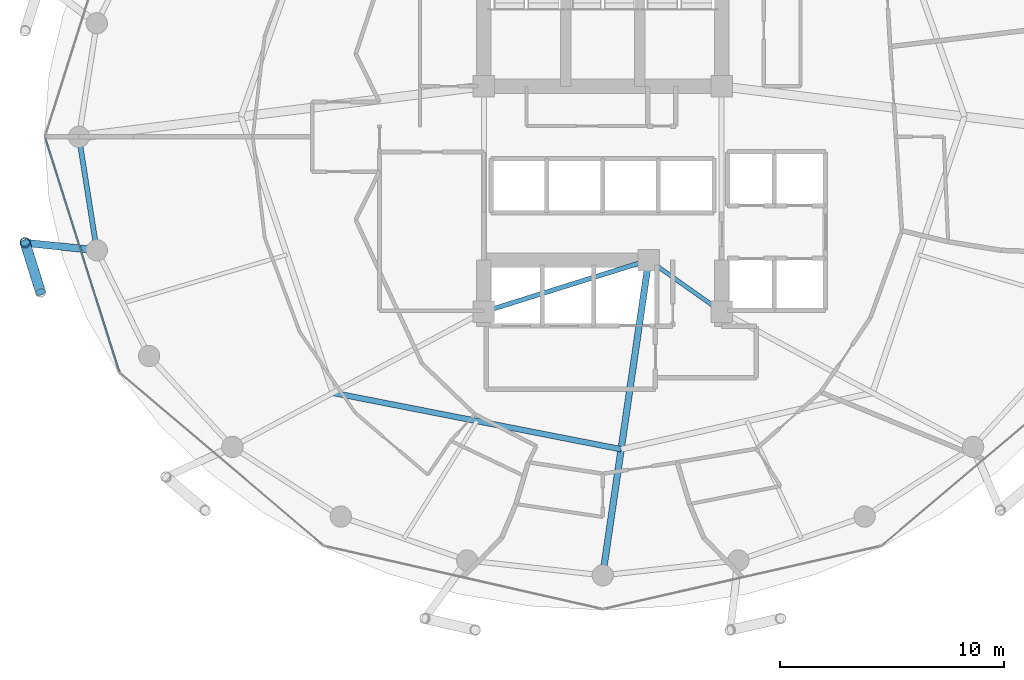
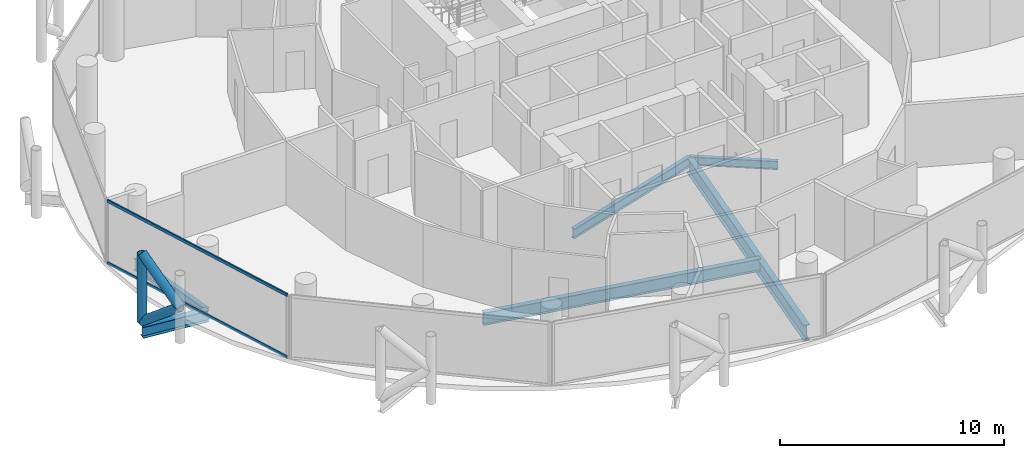
# One storey, part 5 of 26: 6 beams, 5 members, 1 element without a shape of its own.
"""IFC4 building model written with IfcOpenShell, lengths in metres."""

import ifcopenshell
import ifcopenshell.guid

model = None  # the IFC model being written
_history = None  # IfcOwnerHistory: only IFC2X3 demands one
_inside = {}  # id of a spatial element -> (the spatial element, [elements in it])
_under = {}  # id of a project, library or spatial element -> (it, [spatial elements below it])
_declared = {}  # id of a project -> (the project, [libraries it declares])
_typed = {}  # id of a type object -> (the type object, [elements of that type])
_made_of = {}  # id of a material, layer set ... -> (it, [elements and type objects made of it])


def new_model(schema):
    """Start an empty IFC model of exactly this schema.

    Asked for "IFC4X3", IfcOpenShell would pick the latest addendum, in which some entities
    have other attributes; the version numbers below select the first issue.
    IFC2X3 requires an IfcOwnerHistory on every rooted entity: one is made here for all.
    """
    global model, _history
    if schema == "IFC4X3":
        model = ifcopenshell.file(schema_version=(4, 3, 0, 0))
    else:
        model = ifcopenshell.file(schema=schema)
    _inside.clear()
    _under.clear()
    _declared.clear()
    _typed.clear()
    _made_of.clear()
    _history = None
    if model.schema == "IFC2X3":
        org = make("IfcOrganization", Name="unknown")
        user = make(
            "IfcPersonAndOrganization",
            ThePerson=make("IfcPerson", FamilyName="unknown"),
            TheOrganization=org,
        )
        app = make(
            "IfcApplication",
            ApplicationDeveloper=org,
            Version="unknown",
            ApplicationFullName="unknown",
            ApplicationIdentifier="unknown",
        )
        _history = make(
            "IfcOwnerHistory",
            OwningUser=user,
            OwningApplication=app,
            ChangeAction="ADDED",
            CreationDate=0,
        )
    return model


def make(cls, **values):
    """One entity of the class cls with the attributes given. An attribute that is None is left unset."""
    return model.create_entity(
        cls, **{name: value for name, value in values.items() if value is not None}
    )


def rooted(cls, **values):
    """An entity with a GlobalId (a new one), such as an element, a storey or a relation."""
    return make(cls, GlobalId=ifcopenshell.guid.new(), OwnerHistory=_history, **values)


def si_unit(unit_type, name, prefix=None):
    """IfcSIUnit, for example si_unit("LENGTHUNIT", "METRE", prefix="MILLI")."""
    return make("IfcSIUnit", UnitType=unit_type, Prefix=prefix, Name=name)


def assignment(units):
    """IfcUnitAssignment: the units of a project."""
    return None if units is None else make("IfcUnitAssignment", Units=units)


def point(xyz):
    """IfcCartesianPoint."""
    return None if xyz is None else make("IfcCartesianPoint", Coordinates=xyz)


def direction(xyz):
    """IfcDirection."""
    return None if xyz is None else make("IfcDirection", DirectionRatios=xyz)


def frame(location, z_axis=None, x_axis=None):
    """IfcAxis2Placement3D, a coordinate frame: its origin and axes. An axis left out is left unset."""
    return make(
        "IfcAxis2Placement3D",
        Location=point(location),
        Axis=direction(z_axis),
        RefDirection=direction(x_axis),
    )


def frame_2d(location, x_axis=None):
    """IfcAxis2Placement2D, a coordinate frame in the plane: its origin and x axis."""
    return make(
        "IfcAxis2Placement2D", Location=point(location), RefDirection=direction(x_axis)
    )


def origin():
    """The frame at (0, 0, 0) with its axes left unset."""
    return frame((0.0, 0.0, 0.0))


def origin_2d():
    """The frame at (0, 0) in the plane with its x axis left unset."""
    return frame_2d((0.0, 0.0))


def place(relative_to, where):
    """IfcLocalPlacement: puts the frame where relative to a parent placement (None: the world)."""
    return make(
        "IfcLocalPlacement", PlacementRelTo=relative_to, RelativePlacement=where
    )


def context(
    kind, dimensions, precision=None, world=None, true_north=None, identifier=None
):
    """IfcGeometricRepresentationContext, for example the 3D "Model" context."""
    return make(
        "IfcGeometricRepresentationContext",
        ContextIdentifier=identifier,
        ContextType=kind,
        CoordinateSpaceDimension=dimensions,
        Precision=precision,
        WorldCoordinateSystem=world,
        TrueNorth=true_north,
    )


def subcontext(parent, identifier, kind, view, scale=None):
    """IfcGeometricRepresentationSubContext, for example "Body" below "Model"."""
    return make(
        "IfcGeometricRepresentationSubContext",
        ContextIdentifier=identifier,
        ContextType=kind,
        ParentContext=parent,
        TargetScale=scale,
        TargetView=view,
    )


def project(units=None, contexts=None):
    """IfcProject with its units and contexts."""
    return rooted(
        "IfcProject",
        Name="project",
        RepresentationContexts=contexts,
        UnitsInContext=assignment(units),
    )


def spatial(cls, under=None, at=None, **own):
    """A site, building, storey or space (cls), placed at a placement, below another one or the project."""
    s = rooted(cls, ObjectPlacement=at, **own)
    if under is not None:
        _under.setdefault(under.id(), (under, []))[1].append(s)
    return s


def profile(cls, at=None, kind="AREA", **sizes):
    """A parametric profile (cls). Its sizes go by their IFC names, for example OverallWidth=200.0."""
    return make(cls, ProfileType=kind, Position=at, **sizes)


def hollow_rectangle(**sizes):
    """IfcRectangleHollowProfileDef."""
    return profile("IfcRectangleHollowProfileDef", **sizes)


def hollow_circle(**sizes):
    """IfcCircleHollowProfileDef."""
    return profile("IfcCircleHollowProfileDef", **sizes)


def i_section(**sizes):
    """IfcIShapeProfileDef."""
    return profile("IfcIShapeProfileDef", **sizes)


def extrude(swept, where, along, depth):
    """IfcExtrudedAreaSolid: the profile swept, set in the frame where, extruded along a direction by depth."""
    return make(
        "IfcExtrudedAreaSolid",
        SweptArea=swept,
        Position=where,
        ExtrudedDirection=direction(along),
        Depth=depth,
    )


def shape(context_of_items, identifier, shape_type, items):
    """IfcShapeRepresentation: the items that make up one representation, for example the "Body"."""
    return make(
        "IfcShapeRepresentation",
        ContextOfItems=context_of_items,
        RepresentationIdentifier=identifier,
        RepresentationType=shape_type,
        Items=items,
    )


def material(Name=None, Category=None):
    """IfcMaterial."""
    return make("IfcMaterial", Name=Name, Category=Category)


def layer(
    of_material, thickness, ventilated=None, Name=None, Category=None, Priority=None
):
    """IfcMaterialLayer: one layer of a wall or slab, of a material (None: an air gap)."""
    return make(
        "IfcMaterialLayer",
        Material=of_material,
        LayerThickness=thickness,
        IsVentilated=ventilated,
        Name=Name,
        Category=Category,
        Priority=Priority,
    )


def layer_set(layers, Name=None):
    """IfcMaterialLayerSet."""
    return make("IfcMaterialLayerSet", MaterialLayers=layers, LayerSetName=Name)


def material_profile(
    of_material, cross_section, Name=None, Category=None, Priority=None
):
    """IfcMaterialProfile: a cross section and its material."""
    return make(
        "IfcMaterialProfile",
        Name=Name,
        Material=of_material,
        Profile=cross_section,
        Priority=Priority,
        Category=Category,
    )


def profile_set(profiles, Name=None, composite=None):
    """IfcMaterialProfileSet."""
    return make(
        "IfcMaterialProfileSet",
        Name=Name,
        MaterialProfiles=profiles,
        CompositeProfile=composite,
    )


def made_of(thing, what):
    """Note that an element or type object is made of a material, layer set ...; save() writes the relation."""
    if what is not None:
        _made_of.setdefault(what.id(), (what, []))[1].append(thing)
    return thing


def type_object(cls, material=None, **own):
    """A type object (cls), such as IfcWallType, which elements share."""
    return made_of(rooted(cls, **own), material)


def element(
    cls,
    number,
    at=None,
    inside=None,
    cuts=None,
    type_object=None,
    material=None,
    context=None,
    identifier="Body",
    shape_type=None,
    held_by="IfcProductDefinitionShape",
    body=None,
    shapes=None,
    **own,
):
    """One element of the class cls, such as IfcWall. Its Tag is "e" and its number.

    at: its placement. inside: the storey or other place that contains it. cuts: it is an
    opening in that element (IfcRelVoidsElement). A single representation is given by context,
    identifier, shape_type and body (its items); several are given by shapes. held_by: the class
    of the entity that holds the representations. save() writes the other relations.
    """
    e = rooted(cls, Tag="e%d" % number, ObjectPlacement=at, **own)
    if body is not None:
        shapes = [shape(context, identifier, shape_type, body)]
    if shapes is not None:
        e.Representation = make(held_by, Representations=shapes)
    if inside is not None:
        _inside.setdefault(inside.id(), (inside, []))[1].append(e)
    if cuts is not None:
        rooted(
            "IfcRelVoidsElement", RelatingBuildingElement=cuts, RelatedOpeningElement=e
        )
    if type_object is not None:
        _typed.setdefault(type_object.id(), (type_object, []))[1].append(e)
    return made_of(e, material)


def aggregate(whole, parts):
    """IfcRelAggregates: a whole, such as a stair, and the parts it consists of."""
    return rooted("IfcRelAggregates", RelatingObject=whole, RelatedObjects=parts)


def save(model, path):
    """Write the relations noted so far, then the file.

    IfcRelAggregates (storeys below a building ...), IfcRelContainedInSpatialStructure (elements
    in a storey), IfcRelDefinesByType, IfcRelAssociatesMaterial and IfcRelDeclares: one each for
    every whole, place, type object, material and project.
    """
    for whole, parts in _under.values():
        aggregate(whole, parts)
    for where, things in _inside.values():
        rooted(
            "IfcRelContainedInSpatialStructure",
            RelatedElements=things,
            RelatingStructure=where,
        )
    for kind, things in _typed.values():
        rooted("IfcRelDefinesByType", RelatedObjects=things, RelatingType=kind)
    for what, things in _made_of.values():
        rooted("IfcRelAssociatesMaterial", RelatedObjects=things, RelatingMaterial=what)
    for by, libraries in _declared.values():
        rooted("IfcRelDeclares", RelatingContext=by, RelatedDefinitions=libraries)
    model.write(path)


model = new_model("IFC4")

# Units and contexts
model_context = context("Model", 3, precision=1e-05, world=origin(), true_north=direction((0.0, 1.0)))
body_context = subcontext(model_context, "Body", "Model", "MODEL_VIEW")
ifc_project = project(units=[si_unit("LENGTHUNIT", "METRE"), si_unit("AREAUNIT", "SQUARE_METRE"), si_unit("VOLUMEUNIT", "CUBIC_METRE"), si_unit("PLANEANGLEUNIT", "RADIAN"), si_unit("MASSUNIT", "GRAM", prefix="KILO")], contexts=[model_context])

# Site, building, storey
site_placement = place(None, origin())
site = spatial("IfcSite", under=ifc_project, at=site_placement, CompositionType="ELEMENT")
building_placement = place(site_placement, origin())
building = spatial("IfcBuilding", under=site, at=building_placement, Name="Nuhasar Tower", CompositionType="ELEMENT")
storey_placement = place(building_placement, frame((0.0, 0.0, 121.949951171875)))
storey = spatial("IfcBuildingStorey", under=building, at=storey_placement, Name="L28", CompositionType="ELEMENT", Elevation=121.949951171875)

# Beams
ifc_material_1 = material(Name="Steel S355", Category="steel")
ifc_material_profile_1 = material_profile(ifc_material_1, i_section(OverallWidth=0.25390625, OverallDepth=0.68408203125, WebThickness=0.012451171875, FlangeThickness=0.018798828125, at=origin_2d()), Name="W27X94")
ifc_profile_set_1 = profile_set([ifc_material_profile_1], Name="Steel S355")
beam_type_1 = type_object("IfcBeamType", Name="BM-INRING-W27X94", PredefinedType="BEAM", material=ifc_profile_set_1)
beam_1_placement = place(storey_placement, frame((26.972900390625, 15.385986328125, -0.592041015625), z_axis=(0.981359637088, -0.192180286956, 0.0), x_axis=(0.192180286956, 0.981359637088, 0.0)))
element("IfcBeam", 1, at=beam_1_placement, inside=storey, type_object=beam_type_1, Name="L28 Inner Header Beam 01", PredefinedType="BEAM", context=body_context, shape_type="SweptSolid", body=[
    extrude(i_section(OverallWidth=0.25390625, OverallDepth=0.68408203125, WebThickness=0.012451171875, FlangeThickness=0.018798828125, at=origin_2d()), origin(), (0.0, 0.0, 1.0), 13.09130859375),
])
ifc_material_profile_2 = material_profile(ifc_material_1, i_section(OverallWidth=0.2919921875, OverallDepth=0.85888671875, WebThickness=0.01708984375, FlangeThickness=0.031005859375, at=origin_2d()), Name="W33X169")
ifc_profile_set_2 = profile_set([ifc_material_profile_2], Name="Steel S355")
beam_type_2 = type_object("IfcBeamType", Name="BM-POD-W33X169", PredefinedType="BEAM", material=ifc_profile_set_2)
beam_2_placement = place(storey_placement, frame((41.050048828125, 21.300048828125, -0.679931640625), z_axis=(-0.144381604017, -0.989522082837, 0.0), x_axis=(0.989522082837, -0.144381604017, 0.0)))
element("IfcBeam", 2, at=beam_2_placement, inside=storey, type_object=beam_type_2, Name="L28 Radial Floor Girder 02", PredefinedType="BEAM", context=body_context, shape_type="SweptSolid", body=[
    extrude(i_section(OverallWidth=0.2919921875, OverallDepth=0.85888671875, WebThickness=0.01708984375, FlangeThickness=0.031005859375, at=origin_2d()), origin(), (0.0, 0.0, 1.0), 14.19873046875),
])
ifc_material_profile_3 = material_profile(ifc_material_1, i_section(OverallWidth=0.18994140625, OverallDepth=0.45703125, WebThickness=0.009033203125, FlangeThickness=0.014404296875, at=origin_2d()), Name="W18X50")
ifc_profile_set_3 = profile_set([ifc_material_profile_3], Name="Steel S355")
beam_type_3 = type_object("IfcBeamType", Name="BM-RAD-W18X50", PredefinedType="BEAM", material=ifc_profile_set_3)
beam_3_placement = place(storey_placement, frame((41.050048828125, 21.300048828125, -0.47802734375), z_axis=(0.816265428953, -0.577677028708, 0.0), x_axis=(0.577677028708, 0.816265428953, 0.0)))
element("IfcBeam", 3, at=beam_3_placement, inside=storey, type_object=beam_type_3, Name="L28 Core Ring Girder 2", PredefinedType="BEAM", context=body_context, shape_type="SweptSolid", body=[
    extrude(i_section(OverallWidth=0.18994140625, OverallDepth=0.45703125, WebThickness=0.009033203125, FlangeThickness=0.014404296875, at=origin_2d()), origin(), (0.0, 0.0, 1.0), 3.9814453125),
])
ifc_material_profile_4 = material_profile(ifc_material_1, i_section(OverallWidth=0.208984375, OverallDepth=0.532958984375, WebThickness=0.01025390625, FlangeThickness=0.015625, at=origin_2d()), Name="W21X62")
ifc_profile_set_4 = profile_set([ifc_material_profile_4], Name="Steel S355")
beam_type_4 = type_object("IfcBeamType", Name="BM-RAD-W21X62", PredefinedType="BEAM", material=ifc_profile_set_4)
beam_4_placement = place(storey_placement, frame((33.699951171875, 19.0, -0.515869140625), z_axis=(0.954363709454, 0.298646798205, 0.0), x_axis=(-0.298646798205, 0.954363709454, 0.0)))
element("IfcBeam", 4, at=beam_4_placement, inside=storey, type_object=beam_type_4, Name="L28 Core Ring Girder 1", PredefinedType="BEAM", context=body_context, shape_type="SweptSolid", body=[
    extrude(i_section(OverallWidth=0.208984375, OverallDepth=0.532958984375, WebThickness=0.01025390625, FlangeThickness=0.015625, at=origin_2d()), origin(), (0.0, 0.0, 1.0), 7.70166015625),
])
ifc_material_profile_5 = material_profile(ifc_material_1, i_section(OverallWidth=0.22998046875, OverallDepth=0.616943359375, WebThickness=0.01318359375, FlangeThickness=0.022216796875, at=origin_2d()), Name="W24X94")
ifc_profile_set_5 = profile_set([ifc_material_profile_5], Name="Steel S355")
beam_type_5 = type_object("IfcBeamType", Name="BM-RING-W24X94", PredefinedType="SPANDREL", material=ifc_profile_set_5)
beam_5_placement = place(storey_placement, frame((15.64990234375, 26.800048828125, -0.557861328125), z_axis=(0.155426543608, -0.987847452566, 0.0), x_axis=(0.987847452566, 0.155426543608, 0.0)))
element("IfcBeam", 5, at=beam_5_placement, inside=storey, type_object=beam_type_5, Name="L28 Perimeter Ring Spandrel 13", PredefinedType="SPANDREL", context=body_context, shape_type="SweptSolid", body=[
    extrude(i_section(OverallWidth=0.22998046875, OverallDepth=0.616943359375, WebThickness=0.01318359375, FlangeThickness=0.022216796875, at=origin_2d()), origin(), (0.0, 0.0, 1.0), 5.122314453125),
])
ifc_material_profile_6 = material_profile(ifc_material_1, i_section(OverallWidth=0.323974609375, OverallDepth=0.611083984375, WebThickness=0.0126953125, FlangeThickness=0.01904296875, at=origin_2d()), Name="W24X104")
ifc_profile_set_6 = profile_set([ifc_material_profile_6], Name="Steel S355")
beam_type_6 = type_object("IfcBeamType", Name="BM-TIE-W24X104", PredefinedType="BEAM", material=ifc_profile_set_6)
beam_6_placement = place(storey_placement, frame((16.446044921875, 21.739990234375, -0.554931640625), z_axis=(-0.994577694483, 0.103996200111, 0.0), x_axis=(-0.103996200111, -0.994577694483, 0.0)))
element("IfcBeam", 6, at=beam_6_placement, inside=storey, type_object=beam_type_6, Name="L28 Exoskeleton Node Tie Beam 07", PredefinedType="BEAM", context=body_context, shape_type="SweptSolid", body=[
    extrude(i_section(OverallWidth=0.323974609375, OverallDepth=0.611083984375, WebThickness=0.0126953125, FlangeThickness=0.01904296875, at=origin_2d()), origin(), (0.0, 0.0, 1.0), 3.21142578125),
])

# Curtain wall, members
ifc_material_2 = material(Name="Aluminium 6063-T6", Category="aluminium")
ifc_layer = layer(ifc_material_2, 0.199951171875)
ifc_layer_set = layer_set([ifc_layer], Name="Aluminium 6063-T6")
curtain_wall_type = type_object("IfcCurtainWallType", Name="CW-Z2-HTL", PredefinedType="NOTDEFINED", material=ifc_layer_set)
curtain_wall_placement = place(storey_placement, origin())
curtain_wall = element("IfcCurtainWall", 7, at=curtain_wall_placement, inside=storey, type_object=curtain_wall_type, Name="L28 Unitised Curtain Wall 07", PredefinedType="NOTDEFINED")
ifc_material_profile_7 = material_profile(ifc_material_2, hollow_rectangle(XDim=0.070068359375, YDim=0.159912109375, WallThickness=0.00439453125, at=origin_2d()), Name="CWT-3")
ifc_profile_set_7 = profile_set([ifc_material_profile_7], Name="Aluminium 6063-T6")
member_type_1 = type_object("IfcMemberType", Name="CW-TRN-S3", PredefinedType="USERDEFINED", material=ifc_profile_set_7)
member_1_placement = place(storey_placement, frame((14.1611328125, 26.733154296875, 0.03515625), z_axis=(0.301608163352, -0.953431967053, 0.0), x_axis=(0.953431967053, 0.301608163352, 0.0)))
member_1 = element("IfcMember", 8, at=member_1_placement, type_object=member_type_1, Name="CW-Z2 transom 1.1", ObjectType="TRANSOM", PredefinedType="USERDEFINED", context=body_context, shape_type="SweptSolid", body=[
    extrude(hollow_rectangle(XDim=0.070068359375, YDim=0.159912109375, WallThickness=0.00439453125, at=origin_2d()), origin(), (0.0, 0.0, 1.0), 10.904296875),
])
member_2_placement = place(storey_placement, frame((14.1611328125, 26.733154296875, 3.4150390625), z_axis=(0.301608163352, -0.953431967053, 0.0), x_axis=(0.953431967053, 0.301608163352, 0.0)))
member_2 = element("IfcMember", 9, at=member_2_placement, type_object=member_type_1, Name="CW-Z2 transom 1.2", ObjectType="TRANSOM", PredefinedType="USERDEFINED", context=body_context, shape_type="SweptSolid", body=[
    extrude(hollow_rectangle(XDim=0.070068359375, YDim=0.159912109375, WallThickness=0.00439453125, at=origin_2d()), origin(), (0.0, 0.0, 1.0), 10.904296875),
])
aggregate(curtain_wall, [member_1, member_2])

# Members
ifc_material_3 = material(Name="Steel S460", Category="steel")
ifc_material_profile_8 = material_profile(ifc_material_3, hollow_circle(Radius=0.228515625, WallThickness=0.022216796875, at=origin_2d()), Name="HSS457X22.2")
ifc_profile_set_8 = profile_set([ifc_material_profile_8], Name="Steel S460")
member_type_2 = type_object("IfcMemberType", Name="EXO-BRONZE-457", PredefinedType="BRACE", material=ifc_profile_set_8)
member_3_placement = place(storey_placement, frame((13.251953125, 22.073974609375, 0.0), z_axis=(0.0, 0.0, 1.0), x_axis=(1.0, 0.0, 0.0)))
element("IfcMember", 10, at=member_3_placement, inside=storey, type_object=member_type_2, Name="L28 Exoskeleton Chord Column EC-07A", PredefinedType="BRACE", context=body_context, shape_type="SweptSolid", body=[
    extrude(hollow_circle(Radius=0.228515625, WallThickness=0.022216796875, at=origin_2d()), origin(), (0.0, 0.0, 1.0), 3.699951171875),
])
member_4_placement = place(storey_placement, frame((13.251953125, 22.073974609375, 0.0), z_axis=(0.233055548538, -0.743577869731, 0.626719285599), x_axis=(0.954228474306, 0.29907861646, 0.0)))
element("IfcMember", 11, at=member_4_placement, inside=storey, type_object=member_type_2, Name="L28 Bronze Diagrid Brace W1-07", PredefinedType="BRACE", context=body_context, shape_type="SweptSolid", body=[
    extrude(hollow_circle(Radius=0.228515625, WallThickness=0.022216796875, at=origin_2d()), origin(), (0.0, 0.0, 1.0), 2.9521484375),
])
member_5_placement = place(storey_placement, frame((13.93994140625, 19.87890625, 1.85009765625), z_axis=(-0.233067628236, 0.74361641074, 0.626669062861), x_axis=(-0.954228474306, -0.29907861646, 0.0)))
element("IfcMember", 12, at=member_5_placement, inside=storey, type_object=member_type_2, Name="L28 Bronze Diagrid Brace W2-07", PredefinedType="BRACE", context=body_context, shape_type="SweptSolid", body=[
    extrude(hollow_circle(Radius=0.228515625, WallThickness=0.022216796875, at=origin_2d()), origin(), (0.0, 0.0, 1.0), 2.951904296875),
])

save(model, "model.ifc")
